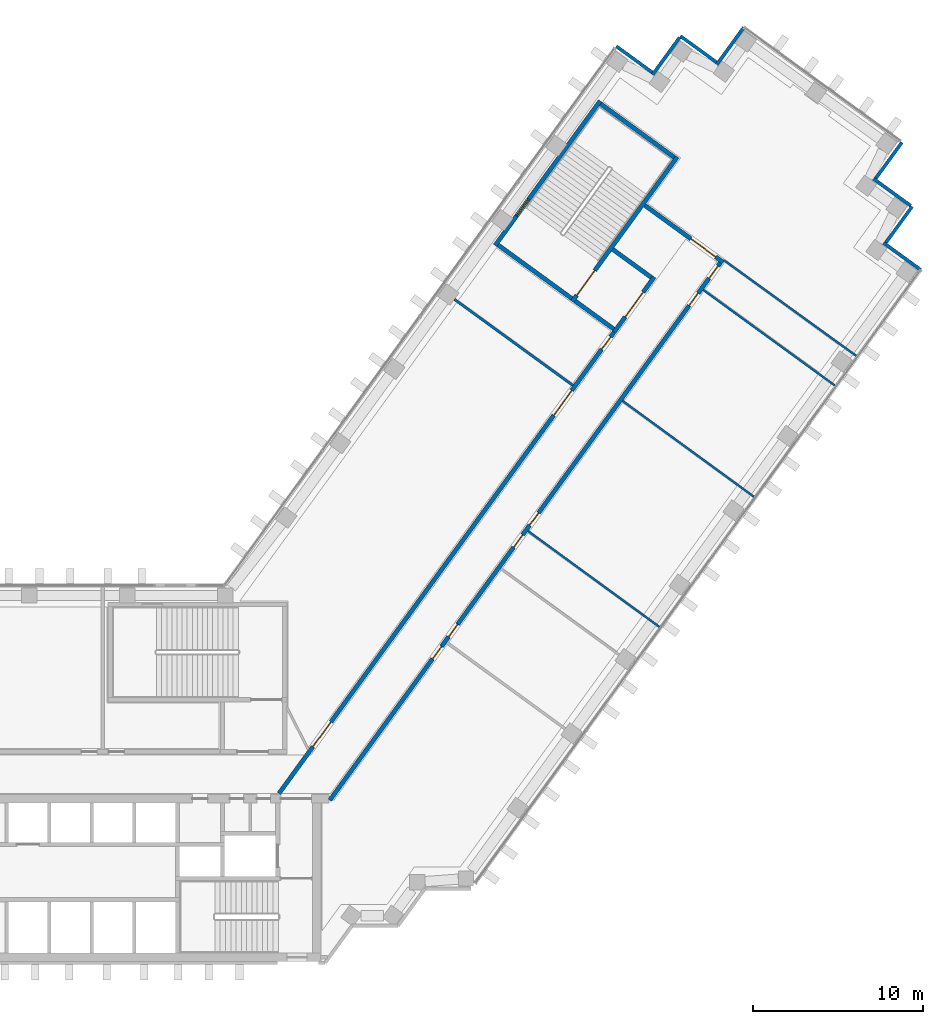
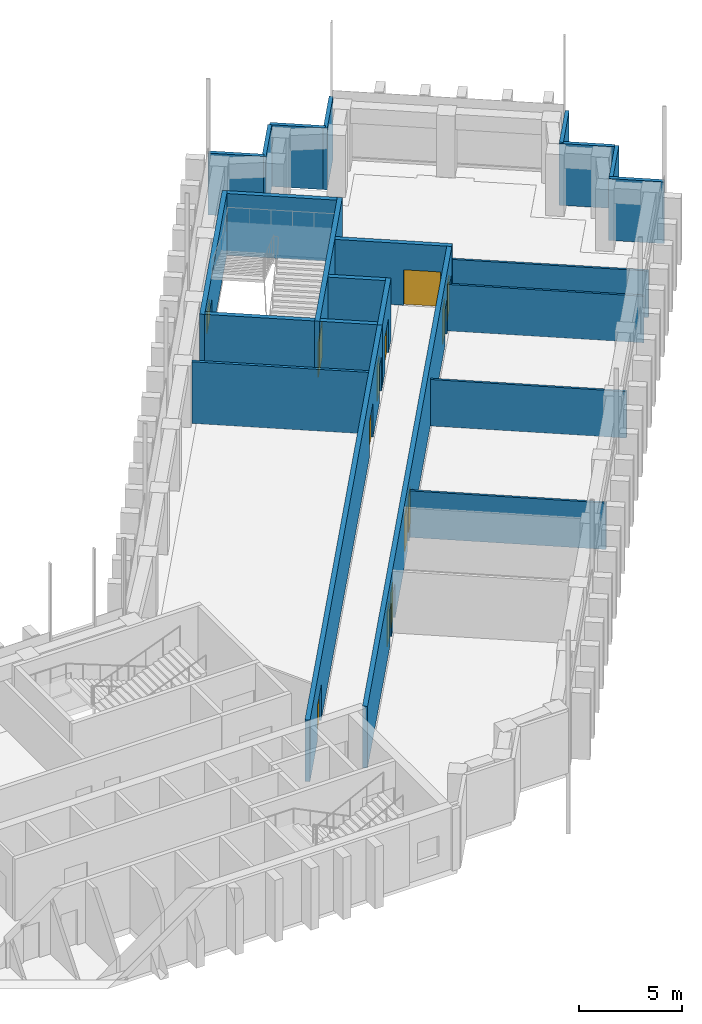
# One storey, part 14 of 18: 23 walls, 12 doors, 1 window, 13 openings.
"""IFC4 building model written with IfcOpenShell, lengths in metres."""

from ifc_helpers import new_model, si_unit, direction, frame, frame_2d, origin, place, context, subcontext, project, spatial, rectangle, extrude, material, layer, layer_set, type_object, element, fill, save


model = new_model("IFC4")

# Units and contexts
model_context = context("Model", 3, precision=1e-05, world=origin(), true_north=direction((0.0, 1.0)))
body_context = subcontext(model_context, "Body", "Model", "MODEL_VIEW")
ifc_project = project(units=[si_unit("LENGTHUNIT", "METRE"), si_unit("AREAUNIT", "SQUARE_METRE"), si_unit("VOLUMEUNIT", "CUBIC_METRE"), si_unit("PLANEANGLEUNIT", "RADIAN"), si_unit("MASSUNIT", "GRAM", prefix="KILO")], contexts=[model_context])

# Site, building, storey
site_placement = place(None, origin())
site = spatial("IfcSite", under=ifc_project, at=site_placement, CompositionType="ELEMENT")
building_placement = place(site_placement, origin())
building = spatial("IfcBuilding", under=site, at=building_placement, Name="Quipu Civic Tower", CompositionType="ELEMENT")
storey_placement = place(building_placement, frame((0.0, 0.0, 71.0)))
storey = spatial("IfcBuildingStorey", under=building, at=storey_placement, Name="L16", CompositionType="ELEMENT", Elevation=71.0)

# Wall
ifc_material_1 = material(Name="Double gypsum plasterboard with mineral wool")
ifc_layer_1 = layer(ifc_material_1, 0.14990234375)
ifc_layer_set_1 = layer_set([ifc_layer_1], Name="Double gypsum plasterboard with mineral wool")
wall_type_1 = type_object("IfcWallType", Name="Acoustic partition 150 plasterboard", PredefinedType="PARTITIONING", material=ifc_layer_set_1)
wall_1_placement = place(storey_placement, frame((34.80615234375, 22.8447265625, 0.0), z_axis=(0.0, 0.0, 1.0), x_axis=(-0.809030728677, 0.587766348183, 0.0)))
element("IfcWall", 1, at=wall_1_placement, inside=storey, type_object=wall_type_1, Name="Partition P10", PredefinedType="PARTITIONING", context=body_context, shape_type="SweptSolid", body=[
    extrude(rectangle(XDim=8.596435546875, YDim=0.14990234375, at=frame_2d((4.29833984375, 0.0))), origin(), (0.0, 0.0, 1.0), 3.64990234375),
])

# Wall, opening, door
ifc_material_2 = material(Name="Concrete C70/85", Category="concrete")
ifc_layer_2 = layer(ifc_material_2, 0.25)
ifc_layer_set_2 = layer_set([ifc_layer_2], Name="Concrete C70/85")
wall_type_2 = type_object("IfcWallType", Name="Core wall 250", PredefinedType="SHEAR", material=ifc_layer_set_2)
wall_2_placement = place(storey_placement, frame((37.237548828125, 25.979736328125, 0.0), z_axis=(0.0, 0.0, 1.0), x_axis=(0.587772420479, 0.809026317077, 0.0)))
wall_2 = element("IfcWall", 2, at=wall_2_placement, inside=storey, type_object=wall_type_2, Name="Core wall", PredefinedType="SHEAR", context=body_context, shape_type="SweptSolid", body=[
    extrude(rectangle(XDim=4.0, YDim=0.25, at=frame_2d((2.0, 0.0))), origin(), (0.0, 0.0, 1.0), 3.64990234375),
])
opening_1_placement = place(wall_2_placement, frame((1.10009765625, 0.0, 0.0)))
opening_1 = element("IfcOpeningElement", 3, at=opening_1_placement, cuts=wall_2, Name="Opening CD-21", PredefinedType="OPENING", context=body_context, shape_type="SweptSolid", body=[
    extrude(rectangle(XDim=1.800048828125, YDim=2.10009765625, at=frame_2d((0.89990234375, 1.050048828125))), frame((0.0, 0.135009765625, 0.0), z_axis=(0.0, -1.0, 0.0), x_axis=(1.0, 0.0, 0.0)), (0.0, 0.0, 1.0), 0.27001953125),
])
ifc_material_3 = material(Name="Fire rated steel door", Category="steel")
door_type_1 = type_object("IfcDoorType", Name="Fire door FD90 double 1800 x 2100", OperationType="NOTDEFINED", PredefinedType="DOOR", material=ifc_material_3)
door_1_placement = place(opening_1_placement, origin())
door_1 = element("IfcDoor", 4, at=door_1_placement, inside=storey, type_object=door_type_1, Name="Lobby door", OperationType="DOUBLE_DOOR_SINGLE_SWING", OverallHeight=2.10009765625, OverallWidth=1.800048828125, PredefinedType="DOOR", context=body_context, shape_type="SweptSolid", body=[
    extrude(rectangle(XDim=1.800048828125, YDim=2.10009765625, at=frame_2d((0.89990234375, 1.050048828125))), frame((0.0, 0.02490234375, 0.0), z_axis=(0.0, -1.0, 0.0), x_axis=(1.0, 0.0, 0.0)), (0.0, 0.0, 1.0), 0.050048828125),
])
fill(opening_1, door_1)

# Walls
for number, where, z_axis, x_axis, name in (
    (5, (37.2099609375, 26.154296875, 0.0), (0.0, 0.0, 1.0), (-0.809041377956, 0.587751689708, 0.0), "Core wall"),
    (6, (39.4140625, 29.18798828125, 0.0), (0.0, 0.0, 1.0), (-0.808969789945, 0.58785021813, 0.0), "Core wall"),
):
    element("IfcWall", number, at=place(storey_placement, frame(where, z_axis=z_axis, x_axis=x_axis)), inside=storey, type_object=wall_type_2, Name=name, PredefinedType="SHEAR", context=body_context, shape_type="SweptSolid", body=[
        extrude(rectangle(XDim=2.800048828125, YDim=0.25, at=frame_2d((1.39990234375, 0.0))), origin(), (0.0, 0.0, 1.0), 3.64990234375),
    ])

# Wall, opening, door
wall_3_placement = place(storey_placement, frame((34.77001953125, 27.7724609375, 0.0), z_axis=(0.0, 0.0, 1.0), x_axis=(0.587795589702, 0.809009483706, 0.0)))
wall_3 = element("IfcWall", 7, at=wall_3_placement, inside=storey, type_object=wall_type_2, Name="Core wall", PredefinedType="SHEAR", context=body_context, shape_type="SweptSolid", body=[
    extrude(rectangle(XDim=10.5, YDim=0.25, at=frame_2d((5.25, 0.0))), origin(), (0.0, 0.0, 1.0), 3.64990234375),
])
opening_2_placement = place(wall_3_placement, frame((0.449951171875, 0.0, 0.0)))
opening_2 = element("IfcOpeningElement", 8, at=opening_2_placement, cuts=wall_3, Name="Opening CD-22", PredefinedType="OPENING", context=body_context, shape_type="SweptSolid", body=[
    extrude(rectangle(XDim=1.800048828125, YDim=2.10009765625, at=frame_2d((0.89990234375, 1.050048828125))), frame((0.0, 0.135009765625, 0.0), z_axis=(0.0, -1.0, 0.0), x_axis=(1.0, 0.0, 0.0)), (0.0, 0.0, 1.0), 0.27001953125),
])
door_2_placement = place(opening_2_placement, origin())
door_2 = element("IfcDoor", 9, at=door_2_placement, inside=storey, type_object=door_type_1, Name="Door", OperationType="DOUBLE_DOOR_SINGLE_SWING", OverallHeight=2.10009765625, OverallWidth=1.800048828125, PredefinedType="DOOR", context=body_context, shape_type="SweptSolid", body=[
    extrude(rectangle(XDim=1.800048828125, YDim=2.10009765625, at=frame_2d((0.89990234375, 1.050048828125))), frame((0.0, 0.02490234375, 0.0), z_axis=(0.0, -1.0, 0.0), x_axis=(1.0, 0.0, 0.0)), (0.0, 0.0, 1.0), 0.050048828125),
])
fill(opening_2, door_2)

# Walls
wall_4_placement = place(storey_placement, frame((34.742431640625, 27.947021484375, 0.0), z_axis=(0.0, 0.0, 1.0), x_axis=(-0.8089984606, 0.587810760999, 0.0)))
element("IfcWall", 10, at=wall_4_placement, inside=storey, type_object=wall_type_2, Name="Core wall", PredefinedType="SHEAR", context=body_context, shape_type="SweptSolid", body=[
    extrude(rectangle(XDim=5.35009765625, YDim=0.25, at=frame_2d((2.675048828125, 0.0))), origin(), (0.0, 0.0, 1.0), 3.64990234375),
])
wall_5_placement = place(storey_placement, frame((40.76708984375, 36.239501953125, 0.0), z_axis=(0.0, 0.0, 1.0), x_axis=(-0.809020161303, 0.587780893365, 0.0)))
element("IfcWall", 11, at=wall_5_placement, inside=storey, type_object=wall_type_2, Name="Core wall", PredefinedType="SHEAR", context=body_context, shape_type="SweptSolid", body=[
    extrude(rectangle(XDim=5.349853515625, YDim=0.25, at=frame_2d((2.6748046875, 0.0))), origin(), (0.0, 0.0, 1.0), 3.64990234375),
])

# Wall, opening, window
wall_6_placement = place(storey_placement, frame((30.239501953125, 31.06396484375, 0.0), z_axis=(0.0, 0.0, 1.0), x_axis=(0.587795589702, 0.809009483706, 0.0)))
wall_6 = element("IfcWall", 12, at=wall_6_placement, inside=storey, type_object=wall_type_2, Name="Core wall", PredefinedType="SHEAR", context=body_context, shape_type="SweptSolid", body=[
    extrude(rectangle(XDim=10.5, YDim=0.25, at=frame_2d((5.25, 0.0))), origin(), (0.0, 0.0, 1.0), 3.64990234375),
])
opening_3_placement = place(wall_6_placement, frame((2.14990234375, 0.0, 1.0)))
opening_3 = element("IfcOpeningElement", 13, at=opening_3_placement, cuts=wall_6, Name="Opening SV-7", PredefinedType="OPENING", context=body_context, shape_type="SweptSolid", body=[
    extrude(rectangle(XDim=1.199951171875, YDim=1.199951171875, at=frame_2d((0.60009765625, 0.60009765625))), frame((0.0, 0.135009765625, 0.0), z_axis=(0.0, -1.0, 0.0), x_axis=(1.0, 0.0, 0.0)), (0.0, 0.0, 1.0), 0.27001953125),
])
ifc_material_4 = material(Name="Aluminium louvre", Category="aluminium")
window_type = type_object("IfcWindowType", Name="Stair ventilation louvre 1200 x 1200", PartitioningType="SINGLE_PANEL", PredefinedType="WINDOW", material=ifc_material_4)
window_placement = place(opening_3_placement, origin())
window = element("IfcWindow", 14, at=window_placement, inside=storey, type_object=window_type, Name="Stair ventilation opening", OverallHeight=1.199951171875, OverallWidth=1.199951171875, PartitioningType="SINGLE_PANEL", PredefinedType="WINDOW", context=body_context, shape_type="SweptSolid", body=[
    extrude(rectangle(XDim=1.199951171875, YDim=1.199951171875, at=frame_2d((0.60009765625, 0.60009765625))), frame((0.0, 0.030029296875, 0.0), z_axis=(0.0, -1.0, 0.0), x_axis=(1.0, 0.0, 0.0)), (0.0, 0.0, 1.0), 0.06005859375),
])
fill(opening_3, window)

# Wall, openings, doors
ifc_material_5 = material(Name="Concrete C50/60", Category="concrete")
ifc_layer_3 = layer(ifc_material_5, 0.25)
ifc_layer_set_3 = layer_set([ifc_layer_3], Name="Concrete C50/60")
wall_type_3 = type_object("IfcWallType", Name="Corridor wall 250 concrete", PredefinedType="SOLIDWALL", material=ifc_layer_set_3)
wall_7_placement = place(storey_placement, frame((17.544921875, -1.124755859375, 0.0), z_axis=(0.0, 0.0, 1.0), x_axis=(0.587786323093, 0.809016216391, 0.0)))
wall_7 = element("IfcWall", 15, at=wall_7_placement, inside=storey, type_object=wall_type_3, Name="Corridor wall C06", PredefinedType="SOLIDWALL", context=body_context, shape_type="SweptSolid", body=[
    extrude(rectangle(XDim=33.4931640625, YDim=0.25, at=frame_2d((16.74658203125, 0.0))), origin(), (0.0, 0.0, 1.0), 3.64990234375),
])
opening_4_placement = place(wall_7_placement, frame((27.4580078125, 0.0, 0.0)))
opening_4 = element("IfcOpeningElement", 16, at=opening_4_placement, cuts=wall_7, Name="Opening D001", PredefinedType="OPENING", context=body_context, shape_type="SweptSolid", body=[
    extrude(rectangle(XDim=1.800048828125, YDim=2.10009765625, at=frame_2d((0.89990234375, 1.050048828125))), frame((0.0, 0.135009765625, 0.0), z_axis=(0.0, -1.0, 0.0), x_axis=(1.0, 0.0, 0.0)), (0.0, 0.0, 1.0), 0.27001953125),
])
opening_5_placement = place(wall_7_placement, frame((3.39208984375, 0.0, 0.0)))
opening_5 = element("IfcOpeningElement", 17, at=opening_5_placement, cuts=wall_7, Name="Opening D002", PredefinedType="OPENING", context=body_context, shape_type="SweptSolid", body=[
    extrude(rectangle(XDim=1.800048828125, YDim=2.10009765625, at=frame_2d((0.89990234375, 1.050048828125))), frame((0.0, 0.135009765625, 0.0), z_axis=(0.0, -1.0, 0.0), x_axis=(1.0, 0.0, 0.0)), (0.0, 0.0, 1.0), 0.27001953125),
])
opening_6_placement = place(wall_7_placement, frame((32.2529296875, 0.0, 0.0)))
opening_6 = element("IfcOpeningElement", 18, at=opening_6_placement, cuts=wall_7, Name="Opening D003", PredefinedType="OPENING", context=body_context, shape_type="SweptSolid", body=[
    extrude(rectangle(XDim=0.89990234375, YDim=2.10009765625, at=frame_2d((0.449951171875, 1.050048828125))), frame((0.0, 0.135009765625, 0.0), z_axis=(0.0, -1.0, 0.0), x_axis=(1.0, 0.0, 0.0)), (0.0, 0.0, 1.0), 0.27001953125),
])
ifc_material_6 = material(Name="Fire rated timber door set with metal frame", Category="wood")
door_type_2 = type_object("IfcDoorType", Name="Double door 1800 x 2100 FD60", OperationType="DOUBLE_DOOR_SINGLE_SWING", PredefinedType="DOOR", material=ifc_material_6)
door_3_placement = place(opening_4_placement, origin())
door_3 = element("IfcDoor", 19, at=door_3_placement, inside=storey, type_object=door_type_2, Name="Door D001", OperationType="DOUBLE_DOOR_SINGLE_SWING", OverallHeight=2.10009765625, OverallWidth=1.800048828125, PredefinedType="DOOR", context=body_context, shape_type="SweptSolid", body=[
    extrude(rectangle(XDim=1.800048828125, YDim=2.10009765625, at=frame_2d((0.89990234375, 1.050048828125))), frame((0.0, 0.02490234375, 0.0), z_axis=(0.0, -1.0, 0.0), x_axis=(1.0, 0.0, 0.0)), (0.0, 0.0, 1.0), 0.050048828125),
])
fill(opening_4, door_3)
door_4_placement = place(opening_5_placement, origin())
door_4 = element("IfcDoor", 20, at=door_4_placement, inside=storey, type_object=door_type_2, Name="Door D002", OperationType="DOUBLE_DOOR_SINGLE_SWING", OverallHeight=2.10009765625, OverallWidth=1.800048828125, PredefinedType="DOOR", context=body_context, shape_type="SweptSolid", body=[
    extrude(rectangle(XDim=1.800048828125, YDim=2.10009765625, at=frame_2d((0.89990234375, 1.050048828125))), frame((0.0, 0.02490234375, 0.0), z_axis=(0.0, -1.0, 0.0), x_axis=(1.0, 0.0, 0.0)), (0.0, 0.0, 1.0), 0.050048828125),
])
fill(opening_5, door_4)
ifc_material_7 = material(Name="Fire rated timber door set with metal frame", Category="wood")
door_type_3 = type_object("IfcDoorType", Name="Single door 900 x 2100 FD60", OperationType="NOTDEFINED", PredefinedType="DOOR", material=ifc_material_7)
door_5_placement = place(opening_6_placement, origin())
door_5 = element("IfcDoor", 21, at=door_5_placement, inside=storey, type_object=door_type_3, Name="Door D003", OperationType="SINGLE_SWING_RIGHT", OverallHeight=2.10009765625, OverallWidth=0.89990234375, PredefinedType="DOOR", context=body_context, shape_type="SweptSolid", body=[
    extrude(rectangle(XDim=0.89990234375, YDim=2.10009765625, at=frame_2d((0.449951171875, 1.050048828125))), frame((0.0, 0.02490234375, 0.0), z_axis=(0.0, -1.0, 0.0), x_axis=(1.0, 0.0, 0.0)), (0.0, 0.0, 1.0), 0.050048828125),
])
fill(opening_6, door_5)

# Wall, opening, door
wall_8_placement = place(storey_placement, frame((39.03369140625, 33.419921875, 0.0), z_axis=(0.0, 0.0, 1.0), x_axis=(0.809023325802, -0.587776537732, 0.0)))
wall_8 = element("IfcWall", 22, at=wall_8_placement, inside=storey, type_object=wall_type_3, Name="Corridor wall C07", PredefinedType="SOLIDWALL", context=body_context, shape_type="SweptSolid", body=[
    extrude(rectangle(XDim=5.695068359375, YDim=0.25, at=frame_2d((2.84765625, 0.0))), origin(), (0.0, 0.0, 1.0), 3.64990234375),
])
opening_7_placement = place(wall_8_placement, frame((3.34521484375, 0.0, 0.0)))
opening_7 = element("IfcOpeningElement", 23, at=opening_7_placement, cuts=wall_8, Name="Opening D010", PredefinedType="OPENING", context=body_context, shape_type="SweptSolid", body=[
    extrude(rectangle(XDim=1.800048828125, YDim=2.10009765625, at=frame_2d((0.89990234375, 1.050048828125))), frame((0.0, 0.135009765625, 0.0), z_axis=(0.0, -1.0, 0.0), x_axis=(1.0, 0.0, 0.0)), (0.0, 0.0, 1.0), 0.27001953125),
])
door_6_placement = place(opening_7_placement, origin())
door_6 = element("IfcDoor", 24, at=door_6_placement, inside=storey, type_object=door_type_2, Name="Door D010", OperationType="DOUBLE_DOOR_SINGLE_SWING", OverallHeight=2.10009765625, OverallWidth=1.800048828125, PredefinedType="DOOR", context=body_context, shape_type="SweptSolid", body=[
    extrude(rectangle(XDim=1.800048828125, YDim=2.10009765625, at=frame_2d((0.89990234375, 1.050048828125))), frame((0.0, 0.02490234375, 0.0), z_axis=(0.0, -1.0, 0.0), x_axis=(1.0, 0.0, 0.0)), (0.0, 0.0, 1.0), 0.050048828125),
])
fill(opening_7, door_6)

# Wall, openings, doors
wall_9_placement = place(storey_placement, frame((43.466552734375, 30.044677734375, 0.0), z_axis=(0.0, 0.0, 1.0), x_axis=(-0.587784726077, -0.809017376692, 0.0)))
wall_9 = element("IfcWall", 25, at=wall_9_placement, inside=storey, type_object=wall_type_3, Name="Corridor wall C08", PredefinedType="SOLIDWALL", context=body_context, shape_type="SweptSolid", body=[
    extrude(rectangle(XDim=39.020263671875, YDim=0.25, at=frame_2d((19.51025390625, 0.0))), origin(), (0.0, 0.0, 1.0), 3.64990234375),
])
opening_8_placement = place(wall_9_placement, frame((26.25439453125, 0.0, 0.0)))
opening_8 = element("IfcOpeningElement", 26, at=opening_8_placement, cuts=wall_9, Name="Opening D005", PredefinedType="OPENING", context=body_context, shape_type="SweptSolid", body=[
    extrude(rectangle(XDim=0.89990234375, YDim=2.10009765625, at=frame_2d((0.449951171875, 1.050048828125))), frame((0.0, 0.135009765625, 0.0), z_axis=(0.0, -1.0, 0.0), x_axis=(1.0, 0.0, 0.0)), (0.0, 0.0, 1.0), 0.27001953125),
])
opening_9_placement = place(wall_9_placement, frame((2.205322265625, 0.0, 0.0)))
opening_9 = element("IfcOpeningElement", 27, at=opening_9_placement, cuts=wall_9, Name="Opening D008", PredefinedType="OPENING", context=body_context, shape_type="SweptSolid", body=[
    extrude(rectangle(XDim=0.89990234375, YDim=2.10009765625, at=frame_2d((0.449951171875, 1.050048828125))), frame((0.0, 0.135009765625, 0.0), z_axis=(0.0, -1.0, 0.0), x_axis=(1.0, 0.0, 0.0)), (0.0, 0.0, 1.0), 0.27001953125),
])
opening_10_placement = place(wall_9_placement, frame((27.854736328125, 0.0, 0.0)))
opening_10 = element("IfcOpeningElement", 28, at=opening_10_placement, cuts=wall_9, Name="Opening D004", PredefinedType="OPENING", context=body_context, shape_type="SweptSolid", body=[
    extrude(rectangle(XDim=0.89990234375, YDim=2.10009765625, at=frame_2d((0.449951171875, 1.050048828125))), frame((0.0, 0.135009765625, 0.0), z_axis=(0.0, -1.0, 0.0), x_axis=(1.0, 0.0, 0.0)), (0.0, 0.0, 1.0), 0.27001953125),
])
opening_11_placement = place(wall_9_placement, frame((18.154541015625, 0.0, 0.0)))
opening_11 = element("IfcOpeningElement", 29, at=opening_11_placement, cuts=wall_9, Name="Opening D007", PredefinedType="OPENING", context=body_context, shape_type="SweptSolid", body=[
    extrude(rectangle(XDim=0.89990234375, YDim=2.10009765625, at=frame_2d((0.449951171875, 1.050048828125))), frame((0.0, 0.135009765625, 0.0), z_axis=(0.0, -1.0, 0.0), x_axis=(1.0, 0.0, 0.0)), (0.0, 0.0, 1.0), 0.27001953125),
])
opening_12_placement = place(wall_9_placement, frame((19.7548828125, 0.0, 0.0)))
opening_12 = element("IfcOpeningElement", 30, at=opening_12_placement, cuts=wall_9, Name="Opening D006", PredefinedType="OPENING", context=body_context, shape_type="SweptSolid", body=[
    extrude(rectangle(XDim=0.89990234375, YDim=2.10009765625, at=frame_2d((0.449951171875, 1.050048828125))), frame((0.0, 0.135009765625, 0.0), z_axis=(0.0, -1.0, 0.0), x_axis=(1.0, 0.0, 0.0)), (0.0, 0.0, 1.0), 0.27001953125),
])
opening_13_placement = place(wall_9_placement, frame((0.224365234375, 0.0, 0.0)))
opening_13 = element("IfcOpeningElement", 31, at=opening_13_placement, cuts=wall_9, Name="Opening D009", PredefinedType="OPENING", context=body_context, shape_type="SweptSolid", body=[
    extrude(rectangle(XDim=0.89990234375, YDim=2.10009765625, at=frame_2d((0.449951171875, 1.050048828125))), frame((0.0, 0.135009765625, 0.0), z_axis=(0.0, -1.0, 0.0), x_axis=(1.0, 0.0, 0.0)), (0.0, 0.0, 1.0), 0.27001953125),
])
door_7_placement = place(opening_8_placement, origin())
door_7 = element("IfcDoor", 32, at=door_7_placement, inside=storey, type_object=door_type_3, Name="Door D005", OperationType="SINGLE_SWING_RIGHT", OverallHeight=2.10009765625, OverallWidth=0.89990234375, PredefinedType="DOOR", context=body_context, shape_type="SweptSolid", body=[
    extrude(rectangle(XDim=0.89990234375, YDim=2.10009765625, at=frame_2d((0.449951171875, 1.050048828125))), frame((0.0, 0.02490234375, 0.0), z_axis=(0.0, -1.0, 0.0), x_axis=(1.0, 0.0, 0.0)), (0.0, 0.0, 1.0), 0.050048828125),
])
fill(opening_8, door_7)
door_8_placement = place(opening_9_placement, origin())
door_8 = element("IfcDoor", 33, at=door_8_placement, inside=storey, type_object=door_type_3, Name="Door D008", OperationType="SINGLE_SWING_LEFT", OverallHeight=2.10009765625, OverallWidth=0.89990234375, PredefinedType="DOOR", context=body_context, shape_type="SweptSolid", body=[
    extrude(rectangle(XDim=0.89990234375, YDim=2.10009765625, at=frame_2d((0.449951171875, 1.050048828125))), frame((0.0, 0.02490234375, 0.0), z_axis=(0.0, -1.0, 0.0), x_axis=(1.0, 0.0, 0.0)), (0.0, 0.0, 1.0), 0.050048828125),
])
fill(opening_9, door_8)
door_9_placement = place(opening_10_placement, origin())
door_9 = element("IfcDoor", 34, at=door_9_placement, inside=storey, type_object=door_type_3, Name="Door D004", OperationType="SINGLE_SWING_LEFT", OverallHeight=2.10009765625, OverallWidth=0.89990234375, PredefinedType="DOOR", context=body_context, shape_type="SweptSolid", body=[
    extrude(rectangle(XDim=0.89990234375, YDim=2.10009765625, at=frame_2d((0.449951171875, 1.050048828125))), frame((0.0, 0.02490234375, 0.0), z_axis=(0.0, -1.0, 0.0), x_axis=(1.0, 0.0, 0.0)), (0.0, 0.0, 1.0), 0.050048828125),
])
fill(opening_10, door_9)
door_10_placement = place(opening_11_placement, origin())
door_10 = element("IfcDoor", 35, at=door_10_placement, inside=storey, type_object=door_type_3, Name="Door D007", OperationType="SINGLE_SWING_RIGHT", OverallHeight=2.10009765625, OverallWidth=0.89990234375, PredefinedType="DOOR", context=body_context, shape_type="SweptSolid", body=[
    extrude(rectangle(XDim=0.89990234375, YDim=2.10009765625, at=frame_2d((0.449951171875, 1.050048828125))), frame((0.0, 0.02490234375, 0.0), z_axis=(0.0, -1.0, 0.0), x_axis=(1.0, 0.0, 0.0)), (0.0, 0.0, 1.0), 0.050048828125),
])
fill(opening_11, door_10)
door_11_placement = place(opening_12_placement, origin())
door_11 = element("IfcDoor", 36, at=door_11_placement, inside=storey, type_object=door_type_3, Name="Door D006", OperationType="SINGLE_SWING_LEFT", OverallHeight=2.10009765625, OverallWidth=0.89990234375, PredefinedType="DOOR", context=body_context, shape_type="SweptSolid", body=[
    extrude(rectangle(XDim=0.89990234375, YDim=2.10009765625, at=frame_2d((0.449951171875, 1.050048828125))), frame((0.0, 0.02490234375, 0.0), z_axis=(0.0, -1.0, 0.0), x_axis=(1.0, 0.0, 0.0)), (0.0, 0.0, 1.0), 0.050048828125),
])
fill(opening_12, door_11)
door_12_placement = place(opening_13_placement, origin())
door_12 = element("IfcDoor", 37, at=door_12_placement, inside=storey, type_object=door_type_3, Name="Door D009", OperationType="SINGLE_SWING_LEFT", OverallHeight=2.10009765625, OverallWidth=0.89990234375, PredefinedType="DOOR", context=body_context, shape_type="SweptSolid", body=[
    extrude(rectangle(XDim=0.89990234375, YDim=2.10009765625, at=frame_2d((0.449951171875, 1.050048828125))), frame((0.0, 0.02490234375, 0.0), z_axis=(0.0, -1.0, 0.0), x_axis=(1.0, 0.0, 0.0)), (0.0, 0.0, 1.0), 0.050048828125),
])
fill(opening_13, door_12)

# Walls
ifc_material_8 = material(Name="Gypsum plasterboard on light gauge framing")
ifc_layer_4 = layer(ifc_material_8, 0.1201171875)
ifc_layer_set_4 = layer_set([ifc_layer_4], Name="Gypsum plasterboard on light gauge framing")
wall_type_4 = type_object("IfcWallType", Name="Partition 120 plasterboard", PredefinedType="PARTITIONING", material=ifc_layer_set_4)
wall_10_placement = place(storey_placement, frame((37.727783203125, 21.93408203125, 0.0), z_axis=(0.0, 0.0, 1.0), x_axis=(0.807645841498, -0.589667868135, 0.0)))
element("IfcWall", 38, at=wall_10_placement, inside=storey, type_object=wall_type_4, Name="Partition P03", PredefinedType="PARTITIONING", context=body_context, shape_type="SweptSolid", body=[
    extrude(rectangle(XDim=9.550537109375, YDim=0.1201171875, at=frame_2d((4.775390625, 0.0))), origin(), (0.0, 0.0, 1.0), 2.75),
])
wall_11_placement = place(storey_placement, frame((50.19189453125, 22.84130859375, 0.0), z_axis=(0.0, 0.0, 1.0), x_axis=(-0.809033337127, 0.587762757767, 0.0)))
element("IfcWall", 39, at=wall_11_placement, inside=storey, type_object=wall_type_4, Name="Partition P04", PredefinedType="PARTITIONING", context=body_context, shape_type="SweptSolid", body=[
    extrude(rectangle(XDim=9.55078125, YDim=0.1201171875, at=frame_2d((4.775390625, 0.0))), origin(), (0.0, 0.0, 1.0), 2.75),
])
wall_12_placement = place(storey_placement, frame((43.698486328125, 30.185302734375, 0.0), z_axis=(0.0, 0.0, 1.0), x_axis=(0.810419489461, -0.58585002441, 0.0)))
element("IfcWall", 40, at=wall_12_placement, inside=storey, type_object=wall_type_4, Name="Partition P14", PredefinedType="PARTITIONING", context=body_context, shape_type="SweptSolid", body=[
    extrude(rectangle(XDim=9.570068359375, YDim=0.1201171875, at=frame_2d((4.78515625, 0.0))), origin(), (0.0, 0.0, 1.0), 2.75),
])
wall_13_placement = place(storey_placement, frame((32.173828125, 14.2880859375, 0.0), z_axis=(0.0, 0.0, 1.0), x_axis=(0.807664588563, -0.589642190131, 0.0)))
element("IfcWall", 41, at=wall_13_placement, inside=storey, type_object=wall_type_4, Name="Partition P15", PredefinedType="PARTITIONING", context=body_context, shape_type="SweptSolid", body=[
    extrude(rectangle(XDim=9.549560546875, YDim=0.1201171875, at=frame_2d((4.77490234375, 0.0))), origin(), (0.0, 0.0, 1.0), 2.75),
])
ifc_material_9 = material(Name="Precast concrete C40/50", Category="concrete")
wall_type_5 = type_object("IfcWallType", Name="Precast cladding wall", PredefinedType="SOLIDWALL", material=ifc_material_9)
wall_14_placement = place(storey_placement, frame((55.2470703125, 29.62890625, 0.0), z_axis=(0.0, 0.0, 1.0), x_axis=(-0.809033161865, 0.587762999008, 0.0)))
element("IfcWall", 42, at=wall_14_placement, inside=storey, type_object=wall_type_5, Name="Precast cladding wall L16 P25", PredefinedType="SOLIDWALL", context=body_context, shape_type="SweptSolid", body=[
    extrude(rectangle(XDim=2.699951171875, YDim=0.199951171875, at=frame_2d((1.35009765625, 0.0))), origin(), (0.0, 0.0, 1.0), 3.64990234375),
])
wall_15_placement = place(storey_placement, frame((53.150634765625, 31.166748046875, 0.0), z_axis=(0.0, 0.0, 1.0), x_axis=(0.587779184282, 0.809021403008, 0.0)))
element("IfcWall", 43, at=wall_15_placement, inside=storey, type_object=wall_type_5, Name="Precast cladding wall L16 P26", PredefinedType="SOLIDWALL", context=body_context, shape_type="SweptSolid", body=[
    extrude(rectangle(XDim=2.7001953125, YDim=0.199951171875, at=frame_2d((1.35009765625, 0.0))), origin(), (0.0, 0.0, 1.0), 3.64990234375),
])
for number, where, z_axis, x_axis, name in (
    (44, (54.649658203125, 33.400390625, 0.0), (0.0, 0.0, 1.0), (-0.809033161865, 0.587762999008, 0.0), "Precast cladding wall L16 P27"),
    (45, (52.55322265625, 34.938232421875, 0.0), (0.0, 0.0, 1.0), (0.587822180636, 0.808990163075, 0.0), "Precast cladding wall L16 P28"),
    (46, (44.846435546875, 43.875, 0.0), (0.0, 0.0, 1.0), (-0.587822180636, -0.808990163075, 0.0), "Precast cladding wall L16 P30"),
    (47, (43.308349609375, 41.77880859375, 0.0), (0.0, 0.0, 1.0), (-0.809033161865, 0.587762999008, 0.0), "Precast cladding wall L16 P31"),
):
    element("IfcWall", number, at=place(storey_placement, frame(where, z_axis=z_axis, x_axis=x_axis)), inside=storey, type_object=wall_type_5, Name=name, PredefinedType="SOLIDWALL", context=body_context, shape_type="SweptSolid", body=[
        extrude(rectangle(XDim=2.699951171875, YDim=0.199951171875, at=frame_2d((1.35009765625, 0.0))), origin(), (0.0, 0.0, 1.0), 3.64990234375),
    ])
wall_16_placement = place(storey_placement, frame((41.074951171875, 43.277587890625, 0.0), z_axis=(0.0, 0.0, 1.0), x_axis=(-0.587806000234, -0.809001919707, 0.0)))
element("IfcWall", 48, at=wall_16_placement, inside=storey, type_object=wall_type_5, Name="Precast cladding wall L16 P32", PredefinedType="SOLIDWALL", context=body_context, shape_type="SweptSolid", body=[
    extrude(rectangle(XDim=2.69970703125, YDim=0.199951171875, at=frame_2d((1.349853515625, 0.0))), origin(), (0.0, 0.0, 1.0), 3.64990234375),
])
wall_17_placement = place(storey_placement, frame((39.537109375, 41.181396484375, 0.0), z_axis=(0.0, 0.0, 1.0), x_axis=(-0.809033161865, 0.587762999008, 0.0)))
element("IfcWall", 49, at=wall_17_placement, inside=storey, type_object=wall_type_5, Name="Precast cladding wall L16 P33", PredefinedType="SOLIDWALL", context=body_context, shape_type="SweptSolid", body=[
    extrude(rectangle(XDim=2.699951171875, YDim=0.199951171875, at=frame_2d((1.35009765625, 0.0))), origin(), (0.0, 0.0, 1.0), 3.64990234375),
])

save(model, "model.ifc")
